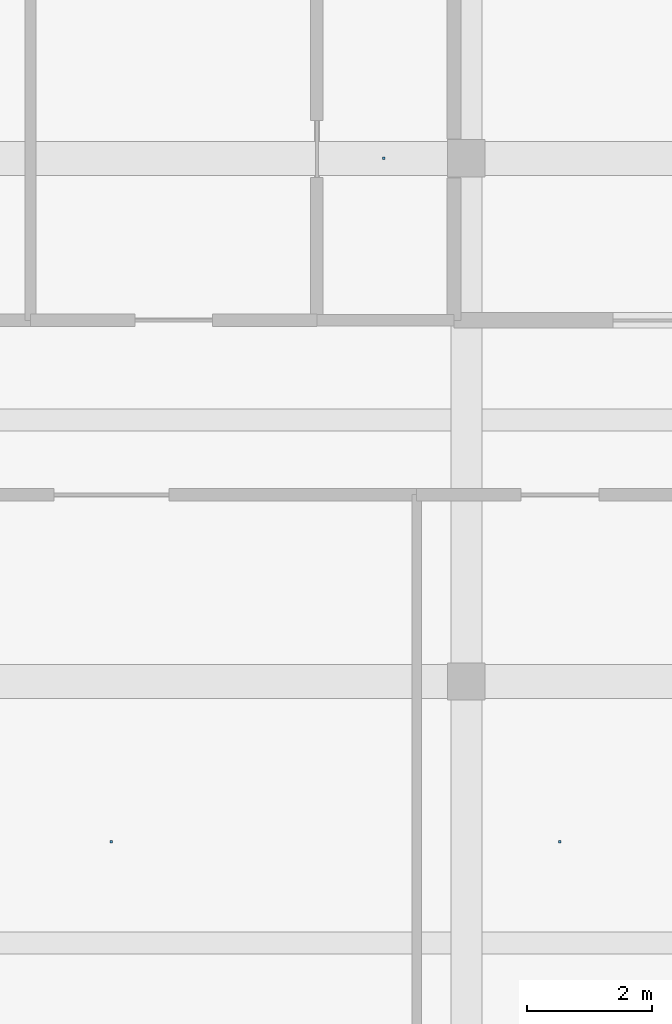
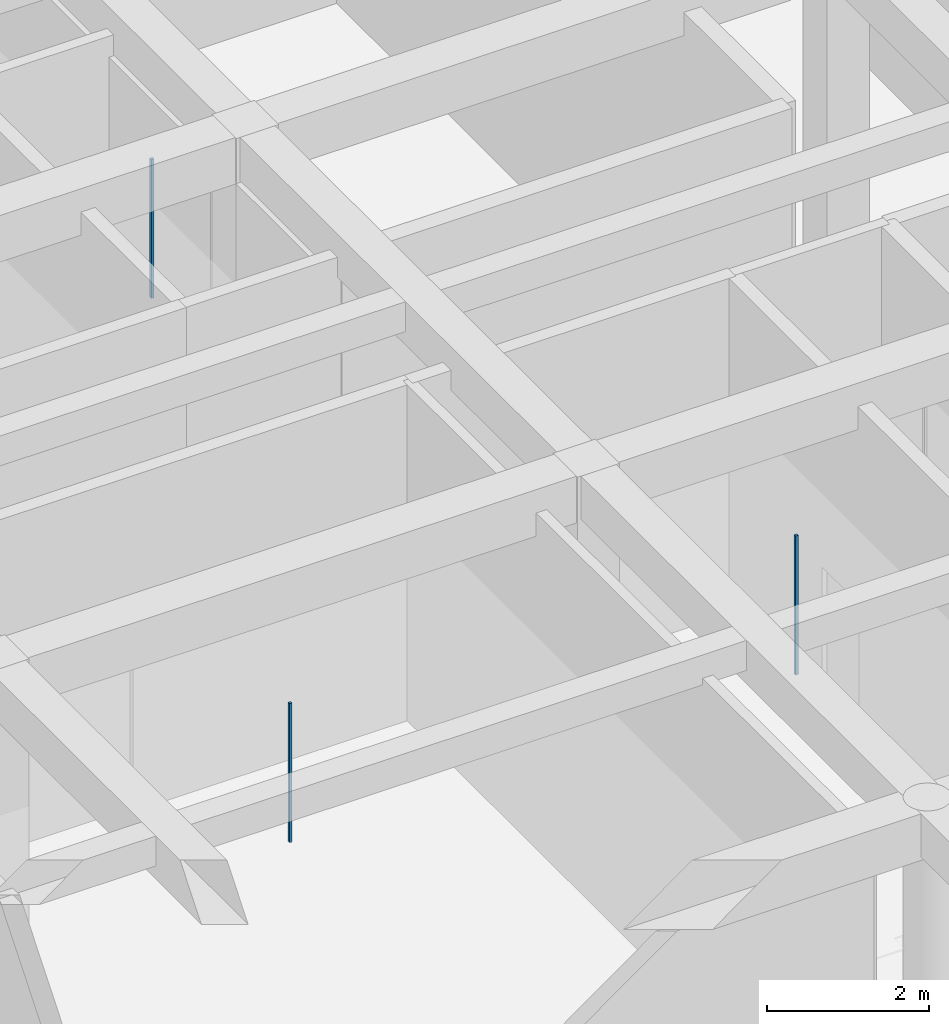
# One storey, part 121 of 157: 3 discrete accessories.
"""IFC4 building model written with IfcOpenShell, lengths in metres."""

from ifc_helpers import new_model, si_unit, direction, frame, origin, origin_2d, place, context, subcontext, project, spatial, rectangle, extrude, material, type_object, element, save


model = new_model("IFC4")

# Units and contexts
model_context = context("Model", 3, precision=1e-05, world=origin(), true_north=direction((0.0, 1.0)))
body_context = subcontext(model_context, "Body", "Model", "MODEL_VIEW")
ifc_project = project(units=[si_unit("LENGTHUNIT", "METRE"), si_unit("AREAUNIT", "SQUARE_METRE"), si_unit("VOLUMEUNIT", "CUBIC_METRE"), si_unit("PLANEANGLEUNIT", "RADIAN"), si_unit("MASSUNIT", "GRAM", prefix="KILO")], contexts=[model_context])

# Site, building, storey
site_placement = place(None, origin())
site = spatial("IfcSite", under=ifc_project, at=site_placement, CompositionType="ELEMENT")
building_placement = place(site_placement, origin())
building = spatial("IfcBuilding", under=site, at=building_placement, Name="Varncliffe General Hospital", CompositionType="ELEMENT")
storey_placement = place(building_placement, frame((0.0, 0.0, 5.39990234375)))
storey = spatial("IfcBuildingStorey", under=building, at=storey_placement, Name="L01", CompositionType="ELEMENT", Elevation=5.39990234375)

# Discrete accessories
ifc_material = material(Name="Powder-coated hospital steel guardrail and handrail", Category="steel")
discrete_accessory_type = type_object("IfcDiscreteAccessoryType", Name="Suspended Ceiling Hanger Bracket CH01", PredefinedType="BRACKET", material=ifc_material)
for number, where, z_axis, x_axis, name in (
    (1, (86.699951171875, 80.22998046875, 3.18994140625), (0.0, 0.0, 1.0), (1.0, 0.0, 0.0), "L01 Suspended Ceiling Hanger 166"),
    (2, (93.89990234375, 80.22998046875, 3.18994140625), (0.0, 0.0, 1.0), (1.0, 0.0, 0.0), "L01 Suspended Ceiling Hanger 167"),
    (3, (91.070068359375, 91.199951171875, 3.18994140625), (0.0, 0.0, 1.0), (1.0, 0.0, 0.0), "L01 Suspended Ceiling Hanger 178"),
):
    element("IfcDiscreteAccessory", number, at=place(storey_placement, frame(where, z_axis=z_axis, x_axis=x_axis)), inside=storey, type_object=discrete_accessory_type, Name=name, PredefinedType="BRACKET", context=body_context, shape_type="SweptSolid", body=[
        extrude(rectangle(XDim=0.0400390625, YDim=0.0400390625, at=origin_2d()), origin(), (0.0, 0.0, 1.0), 2.090087890625),
    ])

save(model, "model.ifc")
